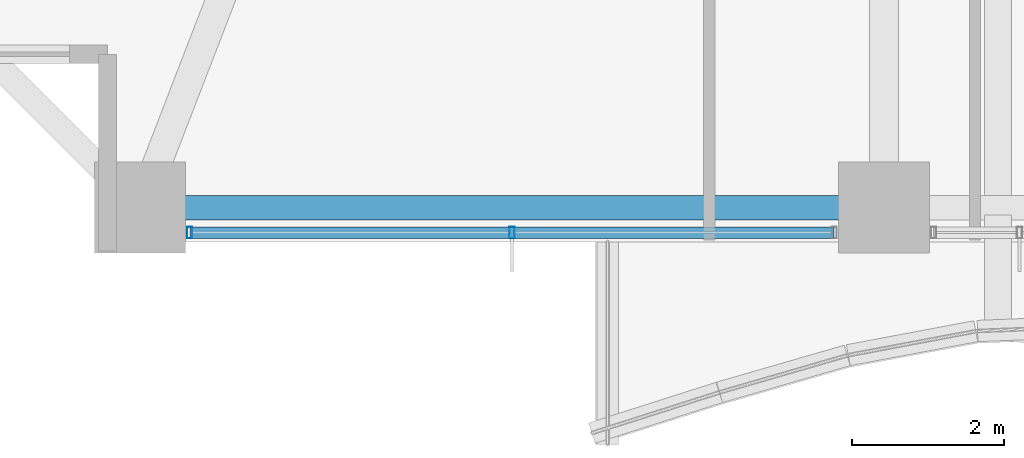
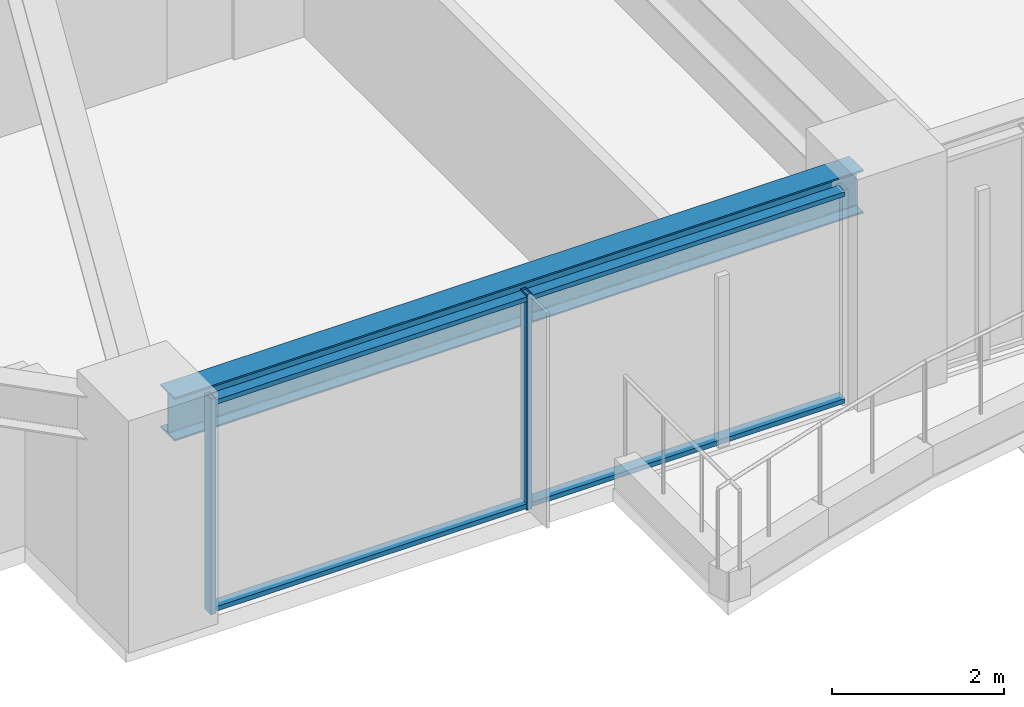
# One storey, part 2 of 38: 4 members, 1 beam, 1 element without a shape of its own.
"""IFC4 building model written with IfcOpenShell, lengths in metres."""

from ifc_helpers import new_model, si_unit, direction, frame, origin, origin_2d, place, context, subcontext, project, spatial, hollow_rectangle, i_section, extrude, material, material_profile, profile_set, type_object, element, aggregate, save


model = new_model("IFC4")

# Units and contexts
model_context = context("Model", 3, precision=1e-05, world=origin(), true_north=direction((0.0, 1.0)))
body_context = subcontext(model_context, "Body", "Model", "MODEL_VIEW")
ifc_project = project(units=[si_unit("LENGTHUNIT", "METRE"), si_unit("AREAUNIT", "SQUARE_METRE"), si_unit("VOLUMEUNIT", "CUBIC_METRE"), si_unit("PLANEANGLEUNIT", "RADIAN"), si_unit("MASSUNIT", "GRAM", prefix="KILO")], contexts=[model_context])

# Site, building, storey
site_placement = place(None, origin())
site = spatial("IfcSite", under=ifc_project, at=site_placement, CompositionType="ELEMENT")
building_placement = place(site_placement, origin())
building = spatial("IfcBuilding", under=site, at=building_placement, Name="Kolvaren Belvedere", CompositionType="ELEMENT")
storey_placement = place(building_placement, frame((0.0, 0.0, 30.39990234375)))
storey = spatial("IfcBuildingStorey", under=building, at=storey_placement, Name="L08", CompositionType="ELEMENT", Elevation=30.39990234375)

# Beam
ifc_material_1 = material(Name="Structural steel ASTM A992 Grade 50", Category="steel")
ifc_material_profile_1 = material_profile(ifc_material_1, i_section(OverallWidth=0.324951171875, OverallDepth=0.615966796875, WebThickness=0.013916015625, FlangeThickness=0.021484375, FilletRadius=0.02001953125, at=origin_2d()), Name="W24X117")
ifc_profile_set_1 = profile_set([ifc_material_profile_1], Name="Structural steel ASTM A992 Grade 50")
beam_type = type_object("IfcBeamType", Name="BM-SPAN-W24X117", PredefinedType="SPANDREL", material=ifc_profile_set_1)
beam_placement = place(storey_placement, frame((-14.1298828125, -21.550048828125, 2.752197265625), z_axis=(1.0, 0.0, 0.0), x_axis=(0.0, 1.0, 0.0)))
element("IfcBeam", 1, at=beam_placement, inside=storey, type_object=beam_type, Name="L08 Perimeter Spandrel S1-S2", PredefinedType="SPANDREL", context=body_context, shape_type="SweptSolid", body=[
    extrude(i_section(OverallWidth=0.324951171875, OverallDepth=0.615966796875, WebThickness=0.013916015625, FlangeThickness=0.021484375, FilletRadius=0.02001953125, at=origin_2d()), origin(), (0.0, 0.0, 1.0), 9.259765625),
])

# Curtain wall, members
ifc_material_2 = material(Name="Anodised pale-metal aluminium AA 6063-T6", Category="aluminium")
curtain_wall_type = type_object("IfcCurtainWallType", Name="CW-Z1-LOW", PredefinedType="NOTDEFINED", material=ifc_material_2)
curtain_wall_placement = place(storey_placement, origin())
curtain_wall = element("IfcCurtainWall", 2, at=curtain_wall_placement, inside=storey, type_object=curtain_wall_type, Name="L08 Unitised Curtain Wall FCW-L08-S2-B2", PredefinedType="NOTDEFINED")
ifc_material_3 = material(Name="Anodised pale-metal aluminium AA 6063-T6", Category="aluminium")
ifc_material_profile_2 = material_profile(ifc_material_3, hollow_rectangle(XDim=0.070068359375, YDim=0.14990234375, WallThickness=0.004150390625, at=origin_2d()), Name="ALU-MUL-150X70")
ifc_profile_set_2 = profile_set([ifc_material_profile_2], Name="Anodised pale-metal aluminium AA 6063-T6")
member_type_1 = type_object("IfcMemberType", Name="CW-MUL-150", PredefinedType="MULLION", material=ifc_profile_set_2)
member_1_placement = place(storey_placement, frame((-9.5, -21.8798828125, 0.0), z_axis=(0.0, 0.0, 1.0), x_axis=(1.0, 0.0, 0.0)))
member_1 = element("IfcMember", 3, at=member_1_placement, type_object=member_type_1, Name="FCW-L08-S2-B2 Unitised Mullion 2", PredefinedType="MULLION", context=body_context, shape_type="SweptSolid", body=[
    extrude(hollow_rectangle(XDim=0.070068359375, YDim=0.14990234375, WallThickness=0.004150390625, at=origin_2d()), origin(), (0.0, 0.0, 1.0), 3.06005859375),
])
member_2_placement = place(storey_placement, frame((-13.7451171875, -21.8798828125, 0.0), z_axis=(0.0, 0.0, 1.0), x_axis=(1.0, 0.0, 0.0)))
member_2 = element("IfcMember", 4, at=member_2_placement, type_object=member_type_1, Name="FCW-L08-S2-B2 Unitised Mullion 3", PredefinedType="MULLION", context=body_context, shape_type="SweptSolid", body=[
    extrude(hollow_rectangle(XDim=0.070068359375, YDim=0.14990234375, WallThickness=0.004150390625, at=origin_2d()), origin(), (0.0, 0.0, 1.0), 3.06005859375),
])
ifc_material_4 = material(Name="Anodised pale-metal aluminium AA 6063-T6", Category="aluminium")
ifc_material_profile_3 = material_profile(ifc_material_4, hollow_rectangle(XDim=0.06494140625, YDim=0.14990234375, WallThickness=0.00390625, at=origin_2d()), Name="ALU-TRN-150X65")
ifc_profile_set_3 = profile_set([ifc_material_profile_3], Name="Anodised pale-metal aluminium AA 6063-T6")
member_type_2 = type_object("IfcMemberType", Name="CW-TRN-150", PredefinedType="USERDEFINED", material=ifc_profile_set_3)
member_3_placement = place(storey_placement, frame((-5.2548828125, -21.8798828125, 0.06005859375), z_axis=(-1.0, 0.0, 0.0), x_axis=(0.0, 0.0, 1.0)))
member_3 = element("IfcMember", 5, at=member_3_placement, type_object=member_type_2, Name="FCW-L08-S2-B2 Sill Transom", ObjectType="TRANSOM", PredefinedType="USERDEFINED", context=body_context, shape_type="SweptSolid", body=[
    extrude(hollow_rectangle(XDim=0.06494140625, YDim=0.14990234375, WallThickness=0.00390625, at=origin_2d()), origin(), (0.0, 0.0, 1.0), 8.490234375),
])
member_4_placement = place(storey_placement, frame((-5.2548828125, -21.8798828125, 3.0), z_axis=(-1.0, 0.0, 0.0), x_axis=(0.0, 0.0, 1.0)))
member_4 = element("IfcMember", 6, at=member_4_placement, type_object=member_type_2, Name="FCW-L08-S2-B2 Head Transom", ObjectType="TRANSOM", PredefinedType="USERDEFINED", context=body_context, shape_type="SweptSolid", body=[
    extrude(hollow_rectangle(XDim=0.06494140625, YDim=0.14990234375, WallThickness=0.00390625, at=origin_2d()), origin(), (0.0, 0.0, 1.0), 8.490234375),
])
aggregate(curtain_wall, [member_1, member_2, member_3, member_4])

save(model, "model.ifc")
